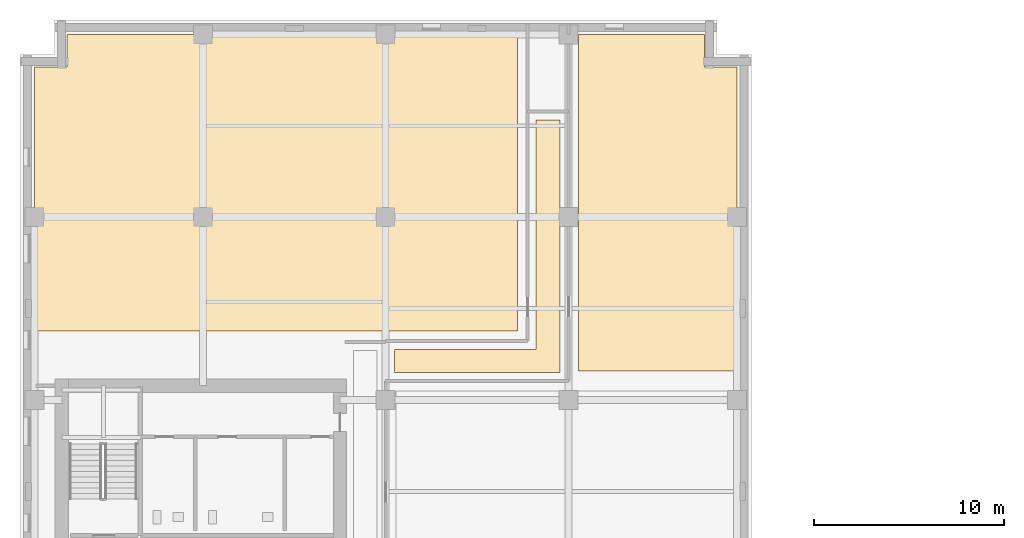
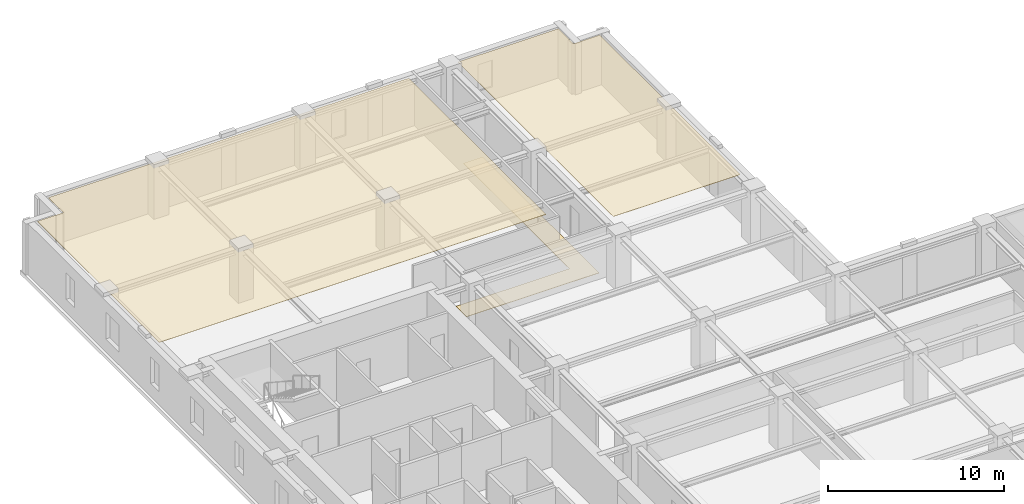
# One storey, part 11 of 12: 3 coverings.
"""IFC4 building model written with IfcOpenShell, lengths in metres."""

from ifc_helpers import new_model, si_unit, direction, frame, origin, place, context, subcontext, project, spatial, polyline, outline, extrude, material, layer, layer_set, type_object, element, save


model = new_model("IFC4")

# Units and contexts
model_context = context("Model", 3, precision=1e-05, world=origin(), true_north=direction((0.0, 1.0)))
body_context = subcontext(model_context, "Body", "Model", "MODEL_VIEW")
ifc_project = project(units=[si_unit("LENGTHUNIT", "METRE"), si_unit("AREAUNIT", "SQUARE_METRE"), si_unit("VOLUMEUNIT", "CUBIC_METRE"), si_unit("PLANEANGLEUNIT", "RADIAN"), si_unit("MASSUNIT", "GRAM", prefix="KILO")], contexts=[model_context])

# Site, building, storey
site_placement = place(None, origin())
site = spatial("IfcSite", under=ifc_project, at=site_placement, CompositionType="ELEMENT")
building_placement = place(site_placement, origin())
building = spatial("IfcBuilding", under=site, at=building_placement, Name="Norrvale University Quadrangle", CompositionType="ELEMENT")
storey_placement = place(building_placement, frame((0.0, 0.0, 105.199951171875)))
storey = spatial("IfcBuildingStorey", under=building, at=storey_placement, Name="L26", CompositionType="ELEMENT", Elevation=105.199951171875)

# Coverings
ifc_material_1 = material(Name="Perforated Acoustic Mineral Ceiling")
ifc_layer_1 = layer(ifc_material_1, 0.02490234375, Name="Perforated Acoustic Mineral Ceiling")
ifc_layer_set_1 = layer_set([ifc_layer_1], Name="Perforated Acoustic Mineral Ceiling")
covering_type_1 = type_object("IfcCoveringType", Name="Covering Acoustic Ceiling 25", PredefinedType="CEILING", material=ifc_layer_set_1)
covering_1_placement = place(storey_placement, frame((0.0, 0.0, 3.51513671875)))
element("IfcCovering", 1, at=covering_1_placement, inside=storey, type_object=covering_type_1, Name="Acoustic Ceiling RM-L26-NE01", PredefinedType="CEILING", context=body_context, shape_type="SweptSolid", body=[
    extrude(outline(polyline([(37.64990234375, 48.780029296875), (29.330078125, 48.780029296875), (29.330078125, 66.449951171875), (35.929931640625, 66.449951171875), (35.929931640625, 64.72998046875), (37.64990234375, 64.72998046875), (37.64990234375, 48.780029296875)])), origin(), (0.0, 0.0, 1.0), 0.02490234375),
])
covering_2_placement = place(storey_placement, frame((0.0, 0.0, 3.51513671875)))
element("IfcCovering", 2, at=covering_2_placement, inside=storey, type_object=covering_type_1, Name="Acoustic Ceiling RM-L26-NW01", PredefinedType="CEILING", context=body_context, shape_type="SweptSolid", body=[
    extrude(outline(polyline([(26.1201171875, 66.449951171875), (26.1201171875, 50.8798828125), (0.75, 50.8798828125), (0.75, 64.72998046875), (2.469970703125, 64.72998046875), (2.469970703125, 66.449951171875), (26.1201171875, 66.449951171875)])), origin(), (0.0, 0.0, 1.0), 0.02490234375),
])
ifc_material_2 = material(Name="Polished Terrazzo Flooring")
ifc_layer_2 = layer(ifc_material_2, 0.02490234375, Name="Polished Terrazzo Flooring")
ifc_layer_set_2 = layer_set([ifc_layer_2], Name="Polished Terrazzo Flooring")
covering_type_2 = type_object("IfcCoveringType", Name="Covering Terrazzo Floor 30", PredefinedType="FLOORING", material=ifc_layer_set_2)
covering_3_placement = place(storey_placement, origin())
element("IfcCovering", 3, at=covering_3_placement, inside=storey, type_object=covering_type_2, Name="Terrazzo Flooring RM-L26-NCJOG", PredefinedType="FLOORING", context=body_context, shape_type="SweptSolid", body=[
    extrude(outline(polyline([(19.64990234375, 48.699951171875), (19.64990234375, 49.89990234375), (27.10009765625, 49.89990234375), (27.10009765625, 61.949951171875), (28.35009765625, 61.949951171875), (28.35009765625, 48.699951171875), (19.64990234375, 48.699951171875)])), origin(), (0.0, 0.0, 1.0), 0.025146484375),
])

save(model, "model.ifc")
